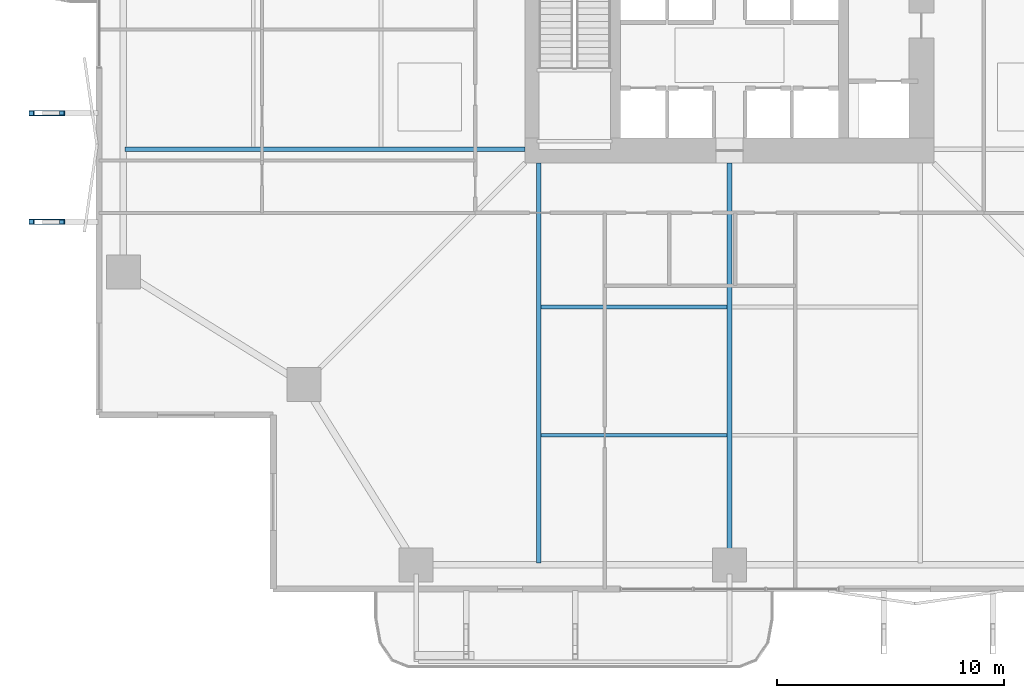
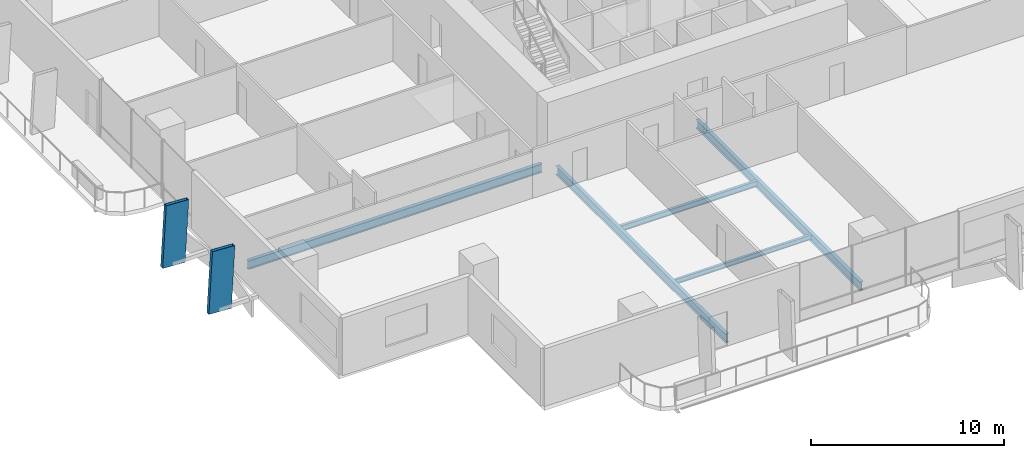
# One storey, part 3 of 23: 5 beams, 2 members.
"""IFC4 building model written with IfcOpenShell, lengths in metres."""

from ifc_helpers import new_model, si_unit, direction, frame, origin, origin_2d, place, context, subcontext, project, spatial, hollow_rectangle, i_section, extrude, material, material_profile, profile_set, type_object, element, save


model = new_model("IFC4")

# Units and contexts
model_context = context("Model", 3, precision=1e-05, world=origin(), true_north=direction((0.0, 1.0)))
body_context = subcontext(model_context, "Body", "Model", "MODEL_VIEW")
ifc_project = project(units=[si_unit("LENGTHUNIT", "METRE"), si_unit("AREAUNIT", "SQUARE_METRE"), si_unit("VOLUMEUNIT", "CUBIC_METRE"), si_unit("PLANEANGLEUNIT", "RADIAN"), si_unit("MASSUNIT", "GRAM", prefix="KILO")], contexts=[model_context])

# Site, building, storey
site_placement = place(None, origin())
site = spatial("IfcSite", under=ifc_project, at=site_placement, CompositionType="ELEMENT")
building_placement = place(site_placement, origin())
building = spatial("IfcBuilding", under=site, at=building_placement, Name="Belovzor Exchange Tower", CompositionType="ELEMENT")
storey_placement = place(building_placement, frame((0.0, 0.0, 53.39990234375)))
storey = spatial("IfcBuildingStorey", under=building, at=storey_placement, Name="L12", CompositionType="ELEMENT", Elevation=53.39990234375)

# Members
ifc_material_1 = material(Name="Extruded Architectural Terracotta on Steel S355 Carrier", Category="masonry")
ifc_material_profile_1 = material_profile(ifc_material_1, hollow_rectangle(XDim=0.219970703125, YDim=1.35009765625, WallThickness=0.013916015625, at=origin_2d()))
ifc_profile_set_1 = profile_set([ifc_material_profile_1], Name="Extruded Architectural Terracotta on Steel S355 Carrier")
member_type = type_object("IfcMemberType", Name="Base Arc Sweeping Terracotta Pylon Fin 1450", PredefinedType="USERDEFINED", material=ifc_profile_set_1)
for number, where, z_axis, x_axis, name in (
    (1, (-1.37890625, 17.199951171875, -0.25), (0.055251933744, 0.0, 0.998472445197), (0.0, 1.0, 0.0), "FIN-TC145 Terracotta Facade Fin L12 W1"),
    (2, (-1.37890625, 22.0, -0.25), (0.055251933744, 0.0, 0.998472445197), (0.0, 1.0, 0.0), "FIN-TC145 Terracotta Facade Fin L12 W2"),
):
    element("IfcMember", number, at=place(storey_placement, frame(where, z_axis=z_axis, x_axis=x_axis)), inside=storey, type_object=member_type, Name=name, ObjectType="FIN", PredefinedType="USERDEFINED", context=body_context, shape_type="SweptSolid", body=[
        extrude(hollow_rectangle(XDim=0.219970703125, YDim=1.35009765625, WallThickness=0.013916015625, at=origin_2d()), origin(), (0.0, 0.0, 1.0), 3.906005859375),
    ])

# Beams
ifc_material_2 = material(Name="Steel S355", Category="steel")
ifc_material_profile_2 = material_profile(ifc_material_2, i_section(OverallWidth=0.169921875, OverallDepth=0.360107421875, WebThickness=0.008056640625, FlangeThickness=0.0126953125, at=origin_2d()))
ifc_profile_set_2 = profile_set([ifc_material_profile_2], Name="Steel S355")
beam_type_1 = type_object("IfcBeamType", Name="Secondary Infill Floor Joist IPE 360", PredefinedType="BEAM", material=ifc_profile_set_2)
beam_1_placement = place(storey_placement, frame((20.5048828125, 13.455078125, -0.429931640625), z_axis=(1.0, 0.0, 0.0), x_axis=(0.0, 1.0, 0.0)))
element("IfcBeam", 3, at=beam_1_placement, inside=storey, type_object=beam_type_1, Name="FJ-360 Secondary Infill Floor Joist IPE 360", PredefinedType="BEAM", context=body_context, shape_type="SweptSolid", body=[
    extrude(i_section(OverallWidth=0.169921875, OverallDepth=0.360107421875, WebThickness=0.008056640625, FlangeThickness=0.0126953125, at=origin_2d()), origin(), (0.0, 0.0, 1.0), 8.190185546875),
])
ifc_material_3 = material(Name="Steel S355", Category="steel")
ifc_material_profile_3 = material_profile(ifc_material_3, i_section(OverallWidth=0.14990234375, OverallDepth=0.300048828125, WebThickness=0.007080078125, FlangeThickness=0.0107421875, at=origin_2d()))
ifc_profile_set_3 = profile_set([ifc_material_profile_3], Name="Steel S355")
beam_type_2 = type_object("IfcBeamType", Name="Secondary Trim Floor Joist IPE 300", PredefinedType="BEAM", material=ifc_profile_set_3)
beam_2_placement = place(storey_placement, frame((20.5048828125, 7.81494140625, -0.39990234375), z_axis=(1.0, 0.0, 0.0), x_axis=(0.0, 1.0, 0.0)))
element("IfcBeam", 4, at=beam_2_placement, inside=storey, type_object=beam_type_2, Name="FJ-300 Secondary Trim Floor Joist IPE 300", PredefinedType="BEAM", context=body_context, shape_type="SweptSolid", body=[
    extrude(i_section(OverallWidth=0.14990234375, OverallDepth=0.300048828125, WebThickness=0.007080078125, FlangeThickness=0.0107421875, at=origin_2d()), origin(), (0.0, 0.0, 1.0), 8.190185546875),
])
ifc_material_4 = material(Name="Steel S355", Category="steel")
ifc_material_profile_4 = material_profile(ifc_material_4, i_section(OverallWidth=0.2099609375, OverallDepth=0.550048828125, WebThickness=0.010986328125, FlangeThickness=0.01708984375, at=origin_2d()))
ifc_profile_set_4 = profile_set([ifc_material_profile_4], Name="Steel S355")
beam_type_3 = type_object("IfcBeamType", Name="Zone 1 Radial Composite Floor Beam IPE 550", PredefinedType="BEAM", material=ifc_profile_set_4)
beam_3_placement = place(storey_placement, frame((20.39990234375, 19.800048828125, -0.52490234375), z_axis=(0.0, -1.0, 0.0), x_axis=(1.0, 0.0, 0.0)))
element("IfcBeam", 5, at=beam_3_placement, inside=storey, type_object=beam_type_3, Name="FB-550 Zone 1 Radial Composite Floor Beam IPE 550", PredefinedType="BEAM", context=body_context, shape_type="SweptSolid", body=[
    extrude(i_section(OverallWidth=0.2099609375, OverallDepth=0.550048828125, WebThickness=0.010986328125, FlangeThickness=0.01708984375, at=origin_2d()), origin(), (0.0, 0.0, 1.0), 17.625),
])
beam_4_placement = place(storey_placement, frame((28.800048828125, 19.800048828125, -0.52490234375), z_axis=(0.0, -1.0, 0.0), x_axis=(1.0, 0.0, 0.0)))
element("IfcBeam", 6, at=beam_4_placement, inside=storey, type_object=beam_type_3, Name="FB-550 Zone 1 Radial Composite Floor Beam IPE 550", PredefinedType="BEAM", context=body_context, shape_type="SweptSolid", body=[
    extrude(i_section(OverallWidth=0.2099609375, OverallDepth=0.550048828125, WebThickness=0.010986328125, FlangeThickness=0.01708984375, at=origin_2d()), origin(), (0.0, 0.0, 1.0), 17.0400390625),
])
beam_5_placement = place(storey_placement, frame((19.800048828125, 20.39990234375, -0.52490234375), z_axis=(-1.0, 0.0, 0.0), x_axis=(0.0, -1.0, 0.0)))
element("IfcBeam", 7, at=beam_5_placement, inside=storey, type_object=beam_type_3, Name="FB-550 Zone 1 Radial Composite Floor Beam IPE 550", PredefinedType="BEAM", context=body_context, shape_type="SweptSolid", body=[
    extrude(i_section(OverallWidth=0.2099609375, OverallDepth=0.550048828125, WebThickness=0.010986328125, FlangeThickness=0.01708984375, at=origin_2d()), origin(), (0.0, 0.0, 1.0), 17.625),
])

save(model, "model.ifc")
